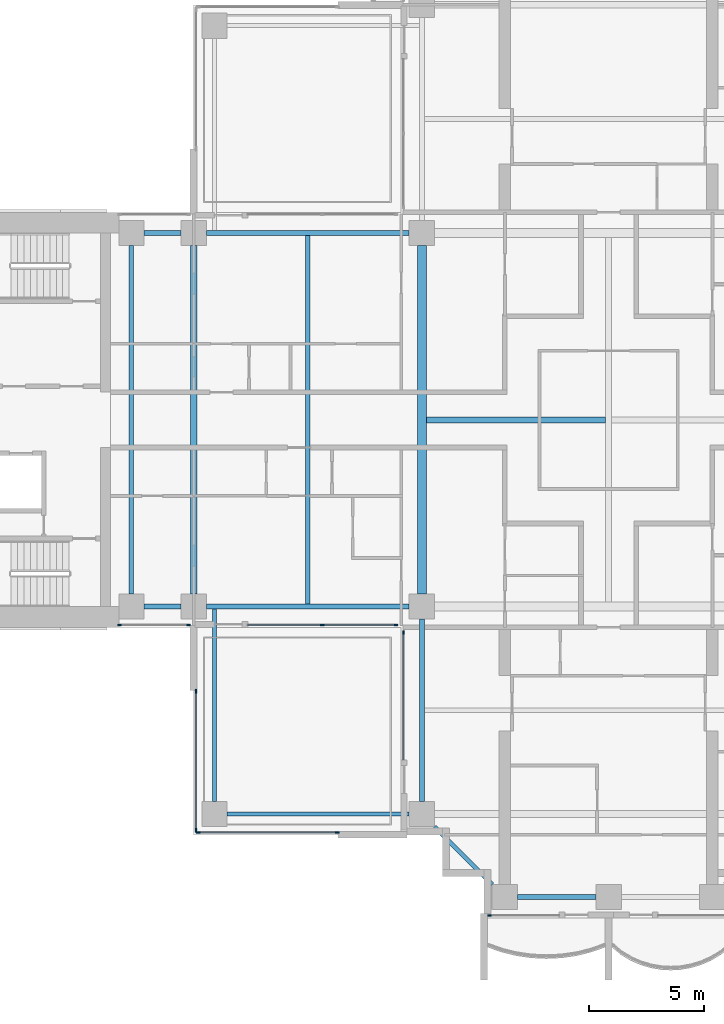
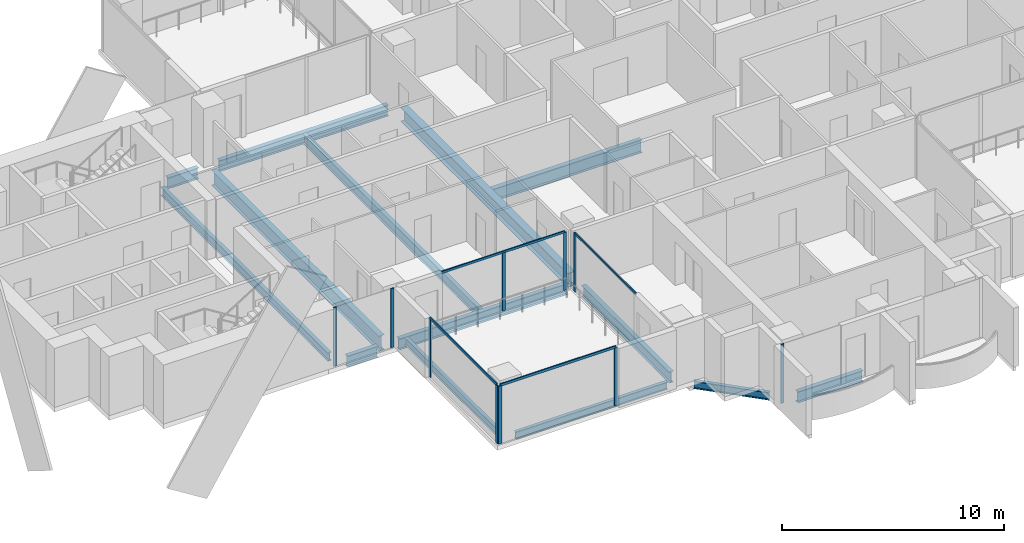
# One storey, part 2 of 19: 14 beams, 14 members, 6 elements without a shape of their own.
"""IFC4 building model written with IfcOpenShell, lengths in metres."""

import ifcopenshell
import ifcopenshell.guid

model = None  # the IFC model being written
_history = None  # IfcOwnerHistory: only IFC2X3 demands one
_inside = {}  # id of a spatial element -> (the spatial element, [elements in it])
_under = {}  # id of a project, library or spatial element -> (it, [spatial elements below it])
_declared = {}  # id of a project -> (the project, [libraries it declares])
_typed = {}  # id of a type object -> (the type object, [elements of that type])
_made_of = {}  # id of a material, layer set ... -> (it, [elements and type objects made of it])


def new_model(schema):
    """Start an empty IFC model of exactly this schema.

    Asked for "IFC4X3", IfcOpenShell would pick the latest addendum, in which some entities
    have other attributes; the version numbers below select the first issue.
    IFC2X3 requires an IfcOwnerHistory on every rooted entity: one is made here for all.
    """
    global model, _history
    if schema == "IFC4X3":
        model = ifcopenshell.file(schema_version=(4, 3, 0, 0))
    else:
        model = ifcopenshell.file(schema=schema)
    _inside.clear()
    _under.clear()
    _declared.clear()
    _typed.clear()
    _made_of.clear()
    _history = None
    if model.schema == "IFC2X3":
        org = make("IfcOrganization", Name="unknown")
        user = make(
            "IfcPersonAndOrganization",
            ThePerson=make("IfcPerson", FamilyName="unknown"),
            TheOrganization=org,
        )
        app = make(
            "IfcApplication",
            ApplicationDeveloper=org,
            Version="unknown",
            ApplicationFullName="unknown",
            ApplicationIdentifier="unknown",
        )
        _history = make(
            "IfcOwnerHistory",
            OwningUser=user,
            OwningApplication=app,
            ChangeAction="ADDED",
            CreationDate=0,
        )
    return model


def make(cls, **values):
    """One entity of the class cls with the attributes given. An attribute that is None is left unset."""
    return model.create_entity(
        cls, **{name: value for name, value in values.items() if value is not None}
    )


def rooted(cls, **values):
    """An entity with a GlobalId (a new one), such as an element, a storey or a relation."""
    return make(cls, GlobalId=ifcopenshell.guid.new(), OwnerHistory=_history, **values)


def si_unit(unit_type, name, prefix=None):
    """IfcSIUnit, for example si_unit("LENGTHUNIT", "METRE", prefix="MILLI")."""
    return make("IfcSIUnit", UnitType=unit_type, Prefix=prefix, Name=name)


def assignment(units):
    """IfcUnitAssignment: the units of a project."""
    return None if units is None else make("IfcUnitAssignment", Units=units)


def point(xyz):
    """IfcCartesianPoint."""
    return None if xyz is None else make("IfcCartesianPoint", Coordinates=xyz)


def direction(xyz):
    """IfcDirection."""
    return None if xyz is None else make("IfcDirection", DirectionRatios=xyz)


def frame(location, z_axis=None, x_axis=None):
    """IfcAxis2Placement3D, a coordinate frame: its origin and axes. An axis left out is left unset."""
    return make(
        "IfcAxis2Placement3D",
        Location=point(location),
        Axis=direction(z_axis),
        RefDirection=direction(x_axis),
    )


def frame_2d(location, x_axis=None):
    """IfcAxis2Placement2D, a coordinate frame in the plane: its origin and x axis."""
    return make(
        "IfcAxis2Placement2D", Location=point(location), RefDirection=direction(x_axis)
    )


def origin():
    """The frame at (0, 0, 0) with its axes left unset."""
    return frame((0.0, 0.0, 0.0))


def origin_2d():
    """The frame at (0, 0) in the plane with its x axis left unset."""
    return frame_2d((0.0, 0.0))


def place(relative_to, where):
    """IfcLocalPlacement: puts the frame where relative to a parent placement (None: the world)."""
    return make(
        "IfcLocalPlacement", PlacementRelTo=relative_to, RelativePlacement=where
    )


def context(
    kind, dimensions, precision=None, world=None, true_north=None, identifier=None
):
    """IfcGeometricRepresentationContext, for example the 3D "Model" context."""
    return make(
        "IfcGeometricRepresentationContext",
        ContextIdentifier=identifier,
        ContextType=kind,
        CoordinateSpaceDimension=dimensions,
        Precision=precision,
        WorldCoordinateSystem=world,
        TrueNorth=true_north,
    )


def subcontext(parent, identifier, kind, view, scale=None):
    """IfcGeometricRepresentationSubContext, for example "Body" below "Model"."""
    return make(
        "IfcGeometricRepresentationSubContext",
        ContextIdentifier=identifier,
        ContextType=kind,
        ParentContext=parent,
        TargetScale=scale,
        TargetView=view,
    )


def project(units=None, contexts=None):
    """IfcProject with its units and contexts."""
    return rooted(
        "IfcProject",
        Name="project",
        RepresentationContexts=contexts,
        UnitsInContext=assignment(units),
    )


def spatial(cls, under=None, at=None, **own):
    """A site, building, storey or space (cls), placed at a placement, below another one or the project."""
    s = rooted(cls, ObjectPlacement=at, **own)
    if under is not None:
        _under.setdefault(under.id(), (under, []))[1].append(s)
    return s


def profile(cls, at=None, kind="AREA", **sizes):
    """A parametric profile (cls). Its sizes go by their IFC names, for example OverallWidth=200.0."""
    return make(cls, ProfileType=kind, Position=at, **sizes)


def rectangle(**sizes):
    """IfcRectangleProfileDef."""
    return profile("IfcRectangleProfileDef", **sizes)


def i_section(**sizes):
    """IfcIShapeProfileDef."""
    return profile("IfcIShapeProfileDef", **sizes)


def extrude(swept, where, along, depth):
    """IfcExtrudedAreaSolid: the profile swept, set in the frame where, extruded along a direction by depth."""
    return make(
        "IfcExtrudedAreaSolid",
        SweptArea=swept,
        Position=where,
        ExtrudedDirection=direction(along),
        Depth=depth,
    )


def shape(context_of_items, identifier, shape_type, items):
    """IfcShapeRepresentation: the items that make up one representation, for example the "Body"."""
    return make(
        "IfcShapeRepresentation",
        ContextOfItems=context_of_items,
        RepresentationIdentifier=identifier,
        RepresentationType=shape_type,
        Items=items,
    )


def material(Name=None, Category=None):
    """IfcMaterial."""
    return make("IfcMaterial", Name=Name, Category=Category)


def material_profile(
    of_material, cross_section, Name=None, Category=None, Priority=None
):
    """IfcMaterialProfile: a cross section and its material."""
    return make(
        "IfcMaterialProfile",
        Name=Name,
        Material=of_material,
        Profile=cross_section,
        Priority=Priority,
        Category=Category,
    )


def profile_set(profiles, Name=None, composite=None):
    """IfcMaterialProfileSet."""
    return make(
        "IfcMaterialProfileSet",
        Name=Name,
        MaterialProfiles=profiles,
        CompositeProfile=composite,
    )


def made_of(thing, what):
    """Note that an element or type object is made of a material, layer set ...; save() writes the relation."""
    if what is not None:
        _made_of.setdefault(what.id(), (what, []))[1].append(thing)
    return thing


def type_object(cls, material=None, **own):
    """A type object (cls), such as IfcWallType, which elements share."""
    return made_of(rooted(cls, **own), material)


def element(
    cls,
    number,
    at=None,
    inside=None,
    cuts=None,
    type_object=None,
    material=None,
    context=None,
    identifier="Body",
    shape_type=None,
    held_by="IfcProductDefinitionShape",
    body=None,
    shapes=None,
    **own,
):
    """One element of the class cls, such as IfcWall. Its Tag is "e" and its number.

    at: its placement. inside: the storey or other place that contains it. cuts: it is an
    opening in that element (IfcRelVoidsElement). A single representation is given by context,
    identifier, shape_type and body (its items); several are given by shapes. held_by: the class
    of the entity that holds the representations. save() writes the other relations.
    """
    e = rooted(cls, Tag="e%d" % number, ObjectPlacement=at, **own)
    if body is not None:
        shapes = [shape(context, identifier, shape_type, body)]
    if shapes is not None:
        e.Representation = make(held_by, Representations=shapes)
    if inside is not None:
        _inside.setdefault(inside.id(), (inside, []))[1].append(e)
    if cuts is not None:
        rooted(
            "IfcRelVoidsElement", RelatingBuildingElement=cuts, RelatedOpeningElement=e
        )
    if type_object is not None:
        _typed.setdefault(type_object.id(), (type_object, []))[1].append(e)
    return made_of(e, material)


def aggregate(whole, parts):
    """IfcRelAggregates: a whole, such as a stair, and the parts it consists of."""
    return rooted("IfcRelAggregates", RelatingObject=whole, RelatedObjects=parts)


def save(model, path):
    """Write the relations noted so far, then the file.

    IfcRelAggregates (storeys below a building ...), IfcRelContainedInSpatialStructure (elements
    in a storey), IfcRelDefinesByType, IfcRelAssociatesMaterial and IfcRelDeclares: one each for
    every whole, place, type object, material and project.
    """
    for whole, parts in _under.values():
        aggregate(whole, parts)
    for where, things in _inside.values():
        rooted(
            "IfcRelContainedInSpatialStructure",
            RelatedElements=things,
            RelatingStructure=where,
        )
    for kind, things in _typed.values():
        rooted("IfcRelDefinesByType", RelatedObjects=things, RelatingType=kind)
    for what, things in _made_of.values():
        rooted("IfcRelAssociatesMaterial", RelatedObjects=things, RelatingMaterial=what)
    for by, libraries in _declared.values():
        rooted("IfcRelDeclares", RelatingContext=by, RelatedDefinitions=libraries)
    model.write(path)


model = new_model("IFC4")

# Units and contexts
model_context = context("Model", 3, precision=1e-05, world=origin(), true_north=direction((0.0, 1.0)))
body_context = subcontext(model_context, "Body", "Model", "MODEL_VIEW")
ifc_project = project(units=[si_unit("LENGTHUNIT", "METRE"), si_unit("AREAUNIT", "SQUARE_METRE"), si_unit("VOLUMEUNIT", "CUBIC_METRE"), si_unit("PLANEANGLEUNIT", "RADIAN"), si_unit("MASSUNIT", "GRAM", prefix="KILO")], contexts=[model_context])

# Site, building, storey
site_placement = place(None, origin())
site = spatial("IfcSite", under=ifc_project, at=site_placement, CompositionType="ELEMENT")
building_placement = place(site_placement, origin())
building = spatial("IfcBuilding", under=site, at=building_placement, Name="Perihelion Cross Residences", CompositionType="ELEMENT")
storey_placement = place(building_placement, frame((0.0, 0.0, 116.39990234375)))
storey = spatial("IfcBuildingStorey", under=building, at=storey_placement, Name="L27", CompositionType="ELEMENT", Elevation=116.39990234375)

# Curtain wall, members
ifc_material_1 = material(Name="Bronze anodised aluminium, tinted glazing", Category="aluminium")
curtain_wall_type_1 = type_object("IfcCurtainWallType", Name="CW1", PredefinedType="NOTDEFINED", material=ifc_material_1)
curtain_wall_1_placement = place(storey_placement, origin())
curtain_wall_1 = element("IfcCurtainWall", 1, at=curtain_wall_1_placement, inside=storey, type_object=curtain_wall_type_1, Name="Curtain wall CW1 L27 west side south bay 1", PredefinedType="NOTDEFINED")
ifc_material_2 = material(Name="Bronze anodised aluminium", Category="aluminium")
ifc_material_profile_1 = material_profile(ifc_material_2, rectangle(XDim=0.06005859375, YDim=0.159912109375, at=origin_2d()), Name="CW1 mullion")
ifc_profile_set_1 = profile_set([ifc_material_profile_1], Name="Bronze anodised aluminium")
member_type_1 = type_object("IfcMemberType", Name="CW1 mullion", PredefinedType="MULLION", material=ifc_profile_set_1)
member_1_placement = place(storey_placement, frame((-21.219970703125, -8.89990234375, 0.0), z_axis=(0.0, 0.0, 1.0), x_axis=(0.0, 1.0, 0.0)))
member_1 = element("IfcMember", 2, at=member_1_placement, type_object=member_type_1, Name="CW1 mullion 1", PredefinedType="MULLION", context=body_context, shape_type="SweptSolid", body=[
    extrude(rectangle(XDim=0.06005859375, YDim=0.159912109375, at=origin_2d()), origin(), (0.0, 0.0, 1.0), 3.25),
])
member_2_placement = place(storey_placement, frame((-18.22998046875, -8.89990234375, 0.0), z_axis=(0.0, 0.0, 1.0), x_axis=(0.0, 1.0, 0.0)))
member_2 = element("IfcMember", 3, at=member_2_placement, type_object=member_type_1, Name="CW1 mullion 2", PredefinedType="MULLION", context=body_context, shape_type="SweptSolid", body=[
    extrude(rectangle(XDim=0.06005859375, YDim=0.159912109375, at=origin_2d()), origin(), (0.0, 0.0, 1.0), 3.25),
])
aggregate(curtain_wall_1, [member_1, member_2])

curtain_wall_2_placement = place(storey_placement, origin())
curtain_wall_2 = element("IfcCurtainWall", 4, at=curtain_wall_2_placement, inside=storey, type_object=curtain_wall_type_1, Name="Curtain wall CW1 L27 west side south bay 2", PredefinedType="NOTDEFINED")
member_3_placement = place(storey_placement, frame((-12.425048828125, -8.89990234375, 0.0), z_axis=(0.0, 0.0, 1.0), x_axis=(0.0, 1.0, 0.0)))
member_3 = element("IfcMember", 5, at=member_3_placement, type_object=member_type_1, Name="CW1 mullion 2", PredefinedType="MULLION", context=body_context, shape_type="SweptSolid", body=[
    extrude(rectangle(XDim=0.06005859375, YDim=0.159912109375, at=origin_2d()), origin(), (0.0, 0.0, 1.0), 3.190185546875),
])
member_4_placement = place(storey_placement, frame((-9.22998046875, -8.89990234375, 0.0), z_axis=(0.0, 0.0, 1.0), x_axis=(0.0, 1.0, 0.0)))
member_4 = element("IfcMember", 6, at=member_4_placement, type_object=member_type_1, Name="CW1 mullion 3", PredefinedType="MULLION", context=body_context, shape_type="SweptSolid", body=[
    extrude(rectangle(XDim=0.06005859375, YDim=0.159912109375, at=origin_2d()), origin(), (0.0, 0.0, 1.0), 3.190185546875),
])

# Curtain wall, member
curtain_wall_3_placement = place(storey_placement, origin())
curtain_wall_3 = element("IfcCurtainWall", 7, at=curtain_wall_3_placement, inside=storey, type_object=curtain_wall_type_1, Name="Curtain wall CW1 L27 south side west bay 1", PredefinedType="NOTDEFINED")
member_5_placement = place(storey_placement, frame((-8.89990234375, -9.22998046875, 0.0), z_axis=(0.0, 0.0, 1.0), x_axis=(1.0, 0.0, 0.0)))
member_5 = element("IfcMember", 8, at=member_5_placement, type_object=member_type_1, Name="CW1 mullion 1", PredefinedType="MULLION", context=body_context, shape_type="SweptSolid", body=[
    extrude(rectangle(XDim=0.06005859375, YDim=0.159912109375, at=origin_2d()), origin(), (0.0, 0.0, 1.0), 3.190185546875),
])

curtain_wall_4_placement = place(storey_placement, origin())
curtain_wall_4 = element("IfcCurtainWall", 9, at=curtain_wall_4_placement, inside=storey, type_object=curtain_wall_type_1, Name="Curtain wall CW1 L27 south tip south bay 1", PredefinedType="NOTDEFINED")
member_6_placement = place(storey_placement, frame((-5.169921875, -21.5, 0.0), z_axis=(0.0, 0.0, 1.0), x_axis=(0.0, 1.0, 0.0)))
member_6 = element("IfcMember", 10, at=member_6_placement, type_object=member_type_1, Name="CW1 mullion 1", PredefinedType="MULLION", context=body_context, shape_type="SweptSolid", body=[
    extrude(rectangle(XDim=0.06005859375, YDim=0.159912109375, at=origin_2d()), origin(), (0.0, 0.0, 1.0), 3.25),
])
aggregate(curtain_wall_4, [member_6])

# Member
ifc_material_3 = material(Name="Bronze anodised aluminium", Category="aluminium")
ifc_material_profile_2 = material_profile(ifc_material_3, rectangle(XDim=0.06005859375, YDim=0.1201171875, at=origin_2d()), Name="CW1 transom")
ifc_profile_set_2 = profile_set([ifc_material_profile_2], Name="Bronze anodised aluminium")
member_type_2 = type_object("IfcMemberType", Name="CW1 transom", PredefinedType="USERDEFINED", material=ifc_profile_set_2)
member_7_placement = place(storey_placement, frame((-15.64990234375, -8.89990234375, 3.22021484375), z_axis=(1.0, 0.0, 0.0), x_axis=(0.0, 1.0, 0.0)))
member_7 = element("IfcMember", 11, at=member_7_placement, type_object=member_type_2, Name="CW1 head transom", ObjectType="TRANSOM", PredefinedType="USERDEFINED", context=body_context, shape_type="SweptSolid", body=[
    extrude(rectangle(XDim=0.06005859375, YDim=0.1201171875, at=origin_2d()), origin(), (0.0, 0.0, 1.0), 6.419921875),
])

aggregate(curtain_wall_2, [member_3, member_4, member_7])

member_8_placement = place(storey_placement, frame((-8.89990234375, -9.22998046875, 3.22021484375), z_axis=(0.0, -1.0, 0.0), x_axis=(1.0, 0.0, 0.0)))
member_8 = element("IfcMember", 12, at=member_8_placement, type_object=member_type_2, Name="CW1 head transom", ObjectType="TRANSOM", PredefinedType="USERDEFINED", context=body_context, shape_type="SweptSolid", body=[
    extrude(rectangle(XDim=0.06005859375, YDim=0.1201171875, at=origin_2d()), origin(), (0.0, 0.0, 1.0), 5.52001953125),
])

aggregate(curtain_wall_3, [member_5, member_8])

# Curtain wall, members
ifc_material_4 = material(Name="Bronze anodised aluminium, tinted glazing", Category="aluminium")
curtain_wall_type_2 = type_object("IfcCurtainWallType", Name="CW4", PredefinedType="NOTDEFINED", material=ifc_material_4)
curtain_wall_5_placement = place(storey_placement, origin())
curtain_wall_5 = element("IfcCurtainWall", 13, at=curtain_wall_5_placement, inside=storey, type_object=curtain_wall_type_2, Name="Curtain wall CW4 L27 pocket south-west 1 1", PredefinedType="NOTDEFINED")
ifc_material_5 = material(Name="Bronze anodised aluminium", Category="aluminium")
ifc_material_profile_3 = material_profile(ifc_material_5, rectangle(XDim=0.06005859375, YDim=0.179931640625, at=origin_2d()), Name="CW4 mullion")
ifc_profile_set_3 = profile_set([ifc_material_profile_3], Name="Bronze anodised aluminium")
member_type_3 = type_object("IfcMemberType", Name="CW4 mullion", PredefinedType="MULLION", material=ifc_profile_set_3)
member_9_placement = place(storey_placement, frame((-11.77001953125, -17.89990234375, 0.0), z_axis=(0.0, 0.0, 1.0), x_axis=(0.0, -1.0, 0.0)))
member_9 = element("IfcMember", 14, at=member_9_placement, type_object=member_type_3, Name="CW4 mullion 1", PredefinedType="MULLION", context=body_context, shape_type="SweptSolid", body=[
    extrude(rectangle(XDim=0.06005859375, YDim=0.179931640625, at=origin_2d()), origin(), (0.0, 0.0, 1.0), 3.190185546875),
])
member_10_placement = place(storey_placement, frame((-17.800048828125, -17.89990234375, 0.0), z_axis=(0.0, 0.0, 1.0), x_axis=(0.0, -1.0, 0.0)))
member_10 = element("IfcMember", 15, at=member_10_placement, type_object=member_type_3, Name="CW4 mullion 2", PredefinedType="MULLION", context=body_context, shape_type="SweptSolid", body=[
    extrude(rectangle(XDim=0.06005859375, YDim=0.179931640625, at=origin_2d()), origin(), (0.0, 0.0, 1.0), 3.190185546875),
])

curtain_wall_6_placement = place(storey_placement, origin())
curtain_wall_6 = element("IfcCurtainWall", 16, at=curtain_wall_6_placement, inside=storey, type_object=curtain_wall_type_2, Name="Curtain wall CW4 L27 pocket south-west 1 2", PredefinedType="NOTDEFINED")
member_11_placement = place(storey_placement, frame((-17.89990234375, -17.800048828125, 0.0), z_axis=(0.0, 0.0, 1.0), x_axis=(-1.0, 0.0, 0.0)))
member_11 = element("IfcMember", 17, at=member_11_placement, type_object=member_type_3, Name="CW4 mullion 1", PredefinedType="MULLION", context=body_context, shape_type="SweptSolid", body=[
    extrude(rectangle(XDim=0.06005859375, YDim=0.179931640625, at=origin_2d()), origin(), (0.0, 0.0, 1.0), 3.190185546875),
])
member_12_placement = place(storey_placement, frame((-17.89990234375, -11.77001953125, 0.0), z_axis=(0.0, 0.0, 1.0), x_axis=(-1.0, 0.0, 0.0)))
member_12 = element("IfcMember", 18, at=member_12_placement, type_object=member_type_3, Name="CW4 mullion 2", PredefinedType="MULLION", context=body_context, shape_type="SweptSolid", body=[
    extrude(rectangle(XDim=0.06005859375, YDim=0.179931640625, at=origin_2d()), origin(), (0.0, 0.0, 1.0), 3.190185546875),
])

# Member
ifc_material_6 = material(Name="Bronze anodised aluminium", Category="aluminium")
ifc_material_profile_4 = material_profile(ifc_material_6, rectangle(XDim=0.06005859375, YDim=0.139892578125, at=origin_2d()), Name="CW4 transom")
ifc_profile_set_4 = profile_set([ifc_material_profile_4], Name="Bronze anodised aluminium")
member_type_4 = type_object("IfcMemberType", Name="CW4 transom", PredefinedType="USERDEFINED", material=ifc_profile_set_4)
member_13_placement = place(storey_placement, frame((-11.77001953125, -17.89990234375, 3.22021484375), z_axis=(-1.0, 0.0, 0.0), x_axis=(0.0, -1.0, 0.0)))
member_13 = element("IfcMember", 19, at=member_13_placement, type_object=member_type_4, Name="CW4 head transom", ObjectType="TRANSOM", PredefinedType="USERDEFINED", context=body_context, shape_type="SweptSolid", body=[
    extrude(rectangle(XDim=0.06005859375, YDim=0.139892578125, at=origin_2d()), origin(), (0.0, 0.0, 1.0), 6.030029296875),
])

aggregate(curtain_wall_5, [member_9, member_10, member_13])

member_14_placement = place(storey_placement, frame((-17.89990234375, -17.800048828125, 3.22021484375), z_axis=(0.0, 1.0, 0.0), x_axis=(-1.0, 0.0, 0.0)))
member_14 = element("IfcMember", 20, at=member_14_placement, type_object=member_type_4, Name="CW4 head transom", ObjectType="TRANSOM", PredefinedType="USERDEFINED", context=body_context, shape_type="SweptSolid", body=[
    extrude(rectangle(XDim=0.06005859375, YDim=0.139892578125, at=origin_2d()), origin(), (0.0, 0.0, 1.0), 6.030029296875),
])

aggregate(curtain_wall_6, [member_11, member_12, member_14])

# Beams
ifc_material_7 = material(Name="Steel S355", Category="steel")
ifc_material_profile_5 = material_profile(ifc_material_7, i_section(OverallWidth=0.177978515625, OverallDepth=0.406005859375, WebThickness=0.0078125, FlangeThickness=0.0126953125, at=origin_2d()), Name="W410x60")
ifc_profile_set_5 = profile_set([ifc_material_profile_5], Name="Steel S355")
beam_type_1 = type_object("IfcBeamType", Name="Core edge beam W410x60", PredefinedType="BEAM", material=ifc_profile_set_5)
beam_1_placement = place(storey_placement, frame((-17.10009765625, -8.214599609375, -0.452880859375), z_axis=(0.0, -1.0, 0.0), x_axis=(1.0, 0.0, 0.0)))
element("IfcBeam", 21, at=beam_1_placement, inside=storey, type_object=beam_type_1, Name="Core edge beam TB2 L27 corner no. 1", PredefinedType="BEAM", context=body_context, shape_type="SweptSolid", body=[
    extrude(i_section(OverallWidth=0.177978515625, OverallDepth=0.406005859375, WebThickness=0.0078125, FlangeThickness=0.0126953125, at=origin_2d()), origin(), (0.0, 0.0, 1.0), 8.33544921875),
])
beam_2_placement = place(storey_placement, frame((-8.64990234375, -17.10009765625, -0.452880859375), z_axis=(-1.0, 0.0, 0.0), x_axis=(0.0, -1.0, 0.0)))
element("IfcBeam", 22, at=beam_2_placement, inside=storey, type_object=beam_type_1, Name="Core edge beam TB2 L27 corner no. 2", PredefinedType="BEAM", context=body_context, shape_type="SweptSolid", body=[
    extrude(i_section(OverallWidth=0.177978515625, OverallDepth=0.406005859375, WebThickness=0.0078125, FlangeThickness=0.0126953125, at=origin_2d()), origin(), (0.0, 0.0, 1.0), 7.900146484375),
])
ifc_material_8 = material(Name="Steel S355", Category="steel")
ifc_material_profile_6 = material_profile(ifc_material_8, i_section(OverallWidth=0.194091796875, OverallDepth=0.469970703125, WebThickness=0.0126953125, FlangeThickness=0.0205078125, at=origin_2d()), Name="W460x106")
ifc_profile_set_6 = profile_set([ifc_material_profile_6], Name="Steel S355")
beam_type_2 = type_object("IfcBeamType", Name="Core edge beam W460x106", PredefinedType="BEAM", material=ifc_profile_set_6)
beam_3_placement = place(storey_placement, frame((-20.699951171875, -7.550048828125, -0.48486328125), z_axis=(0.0, 1.0, 0.0), x_axis=(-1.0, 0.0, 0.0)))
element("IfcBeam", 23, at=beam_3_placement, inside=storey, type_object=beam_type_2, Name="Core edge beam TB5 L27 no. 1", PredefinedType="BEAM", context=body_context, shape_type="SweptSolid", body=[
    extrude(i_section(OverallWidth=0.194091796875, OverallDepth=0.469970703125, WebThickness=0.0126953125, FlangeThickness=0.0205078125, at=origin_2d()), origin(), (0.0, 0.0, 1.0), 15.10009765625),
])
ifc_material_9 = material(Name="Steel S355", Category="steel")
ifc_material_profile_7 = material_profile(ifc_material_9, i_section(OverallWidth=0.22900390625, OverallDepth=0.612060546875, WebThickness=0.011962890625, FlangeThickness=0.01953125, at=origin_2d()), Name="W610x125")
ifc_profile_set_7 = profile_set([ifc_material_profile_7], Name="Steel S355")
beam_type_3 = type_object("IfcBeamType", Name="Edge beam W610x125", PredefinedType="SPANDREL", material=ifc_profile_set_7)
beam_4_placement = place(storey_placement, frame((-8.64990234375, 8.10009765625, -0.555908203125), z_axis=(-1.0, 0.0, 0.0), x_axis=(0.0, -1.0, 0.0)))
element("IfcBeam", 24, at=beam_4_placement, inside=storey, type_object=beam_type_3, Name="Edge beam SB3 L27 no. 8", PredefinedType="SPANDREL", context=body_context, shape_type="SweptSolid", body=[
    extrude(i_section(OverallWidth=0.22900390625, OverallDepth=0.612060546875, WebThickness=0.011962890625, FlangeThickness=0.01953125, at=origin_2d()), origin(), (0.0, 0.0, 1.0), 8.800048828125),
])
for number, where, z_axis, x_axis, name in (
    (25, (-18.550048828125, 8.10009765625, -0.555908203125), (-1.0, 0.0, 0.0), (0.0, -1.0, 0.0), "Edge beam SB3 L27 no. 2"),
    (26, (-20.14990234375, -8.10009765625, -0.555908203125), (1.0, 0.0, 0.0), (0.0, 1.0, 0.0), "Edge beam SB3 L27 no. 3"),
):
    element("IfcBeam", number, at=place(storey_placement, frame(where, z_axis=z_axis, x_axis=x_axis)), inside=storey, type_object=beam_type_3, Name=name, PredefinedType="SPANDREL", context=body_context, shape_type="SweptSolid", body=[
        extrude(i_section(OverallWidth=0.22900390625, OverallDepth=0.612060546875, WebThickness=0.011962890625, FlangeThickness=0.01953125, at=origin_2d()), origin(), (0.0, 0.0, 1.0), 1.599853515625),
    ])
beam_5_placement = place(storey_placement, frame((-17.449951171875, -8.10009765625, -0.555908203125), z_axis=(1.0, 0.0, 0.0), x_axis=(0.0, 1.0, 0.0)))
element("IfcBeam", 27, at=beam_5_placement, inside=storey, type_object=beam_type_3, Name="Edge beam SB3 L27 no. 1", PredefinedType="SPANDREL", context=body_context, shape_type="SweptSolid", body=[
    extrude(i_section(OverallWidth=0.22900390625, OverallDepth=0.612060546875, WebThickness=0.011962890625, FlangeThickness=0.01953125, at=origin_2d()), origin(), (0.0, 0.0, 1.0), 8.800048828125),
])
beam_6_placement = place(storey_placement, frame((-8.10009765625, -8.64990234375, -0.555908203125), z_axis=(0.0, -1.0, 0.0), x_axis=(1.0, 0.0, 0.0)))
element("IfcBeam", 28, at=beam_6_placement, inside=storey, type_object=beam_type_3, Name="Edge beam SB3 L27 no. 5", PredefinedType="SPANDREL", context=body_context, shape_type="SweptSolid", body=[
    extrude(i_section(OverallWidth=0.22900390625, OverallDepth=0.612060546875, WebThickness=0.011962890625, FlangeThickness=0.01953125, at=origin_2d()), origin(), (0.0, 0.0, 1.0), 7.900146484375),
])
beam_7_placement = place(storey_placement, frame((-3.949951171875, -20.699951171875, -0.555908203125), z_axis=(1.0, 0.0, 0.0), x_axis=(0.0, 1.0, 0.0)))
element("IfcBeam", 29, at=beam_7_placement, inside=storey, type_object=beam_type_3, Name="Edge beam SB3 L27 no. 4", PredefinedType="SPANDREL", context=body_context, shape_type="SweptSolid", body=[
    extrude(i_section(OverallWidth=0.22900390625, OverallDepth=0.612060546875, WebThickness=0.011962890625, FlangeThickness=0.01953125, at=origin_2d()), origin(), (0.0, 0.0, 1.0), 3.39990234375),
])
ifc_material_10 = material(Name="Steel S355", Category="steel")
ifc_material_profile_8 = material_profile(ifc_material_10, i_section(OverallWidth=0.2919921875, OverallDepth=0.8359375, WebThickness=0.013916015625, FlangeThickness=0.018798828125, at=origin_2d()), Name="W840x176")
ifc_profile_set_8 = profile_set([ifc_material_profile_8], Name="Steel S355")
beam_type_4 = type_object("IfcBeamType", Name="Floor girder W840x176", PredefinedType="BEAM", material=ifc_profile_set_8)
beam_8_placement = place(storey_placement, frame((-18.0, -7.550048828125, -0.66796875), z_axis=(0.0, 1.0, 0.0), x_axis=(-1.0, 0.0, 0.0)))
element("IfcBeam", 30, at=beam_8_placement, inside=storey, type_object=beam_type_4, Name="Girder G3 L27 no. 1", PredefinedType="BEAM", context=body_context, shape_type="SweptSolid", body=[
    extrude(i_section(OverallWidth=0.2919921875, OverallDepth=0.8359375, WebThickness=0.013916015625, FlangeThickness=0.018798828125, at=origin_2d()), origin(), (0.0, 0.0, 1.0), 15.10009765625),
])
ifc_material_11 = material(Name="Steel S355", Category="steel")
ifc_material_profile_9 = material_profile(ifc_material_11, i_section(OverallWidth=0.208984375, OverallDepth=0.532958984375, WebThickness=0.01025390625, FlangeThickness=0.015625, at=origin_2d()), Name="W530x92")
ifc_profile_set_9 = profile_set([ifc_material_profile_9], Name="Steel S355")
beam_type_5 = type_object("IfcBeamType", Name="Floor joist W530x92", PredefinedType="JOIST", material=ifc_profile_set_9)
beam_9_placement = place(storey_placement, frame((-13.050048828125, -7.985595703125, -0.516357421875), z_axis=(0.0, 1.0, 0.0), x_axis=(-1.0, 0.0, 0.0)))
element("IfcBeam", 31, at=beam_9_placement, inside=storey, type_object=beam_type_5, Name="Joist J4 L27 no. 1", PredefinedType="JOIST", context=body_context, shape_type="SweptSolid", body=[
    extrude(i_section(OverallWidth=0.208984375, OverallDepth=0.532958984375, WebThickness=0.01025390625, FlangeThickness=0.015625, at=origin_2d()), origin(), (0.0, 0.0, 1.0), 15.97119140625),
])
ifc_material_12 = material(Name="Steel S355", Category="steel")
ifc_material_profile_10 = material_profile(ifc_material_12, i_section(OverallWidth=0.257080078125, OverallDepth=0.693115234375, WebThickness=0.014404296875, FlangeThickness=0.023681640625, at=origin_2d()), Name="W690x170")
ifc_profile_set_10 = profile_set([ifc_material_profile_10], Name="Steel S355")
beam_type_6 = type_object("IfcBeamType", Name="Hub cross beam W690x170", PredefinedType="BEAM", material=ifc_profile_set_10)
beam_10_placement = place(storey_placement, frame((-7.909423828125, 0.0, -0.596435546875), z_axis=(1.0, 0.0, 0.0), x_axis=(0.0, 1.0, 0.0)))
element("IfcBeam", 32, at=beam_10_placement, inside=storey, type_object=beam_type_6, Name="Hub cross beam XB3 L27 1 no. 1", PredefinedType="BEAM", context=body_context, shape_type="SweptSolid", body=[
    extrude(i_section(OverallWidth=0.257080078125, OverallDepth=0.693115234375, WebThickness=0.014404296875, FlangeThickness=0.023681640625, at=origin_2d()), origin(), (0.0, 0.0, 1.0), 7.781005859375),
])
ifc_material_13 = material(Name="Steel S355", Category="steel")
ifc_material_profile_11 = material_profile(ifc_material_13, i_section(OverallWidth=0.381103515625, OverallDepth=0.77197265625, WebThickness=0.0166015625, FlangeThickness=0.027099609375, at=origin_2d()), Name="W760x257")
ifc_profile_set_11 = profile_set([ifc_material_profile_11], Name="Steel S355")
beam_type_7 = type_object("IfcBeamType", Name="Hub ring girder W760x257", PredefinedType="BEAM", material=ifc_profile_set_11)
beam_11_placement = place(storey_placement, frame((-8.10009765625, 7.550048828125, -0.635986328125), z_axis=(0.0, -1.0, 0.0), x_axis=(1.0, 0.0, 0.0)))
element("IfcBeam", 33, at=beam_11_placement, inside=storey, type_object=beam_type_7, Name="Hub ring girder RG3 L27 no. 2", PredefinedType="BEAM", context=body_context, shape_type="SweptSolid", body=[
    extrude(i_section(OverallWidth=0.381103515625, OverallDepth=0.77197265625, WebThickness=0.0166015625, FlangeThickness=0.027099609375, at=origin_2d()), origin(), (0.0, 0.0, 1.0), 15.10009765625),
])
ifc_material_14 = material(Name="Steel S355", Category="steel")
ifc_material_profile_12 = material_profile(ifc_material_14, i_section(OverallWidth=0.180908203125, OverallDepth=0.4169921875, WebThickness=0.010986328125, FlangeThickness=0.018310546875, at=origin_2d()), Name="W410x85")
ifc_profile_set_12 = profile_set([ifc_material_profile_12], Name="Steel S355")
beam_type_8 = type_object("IfcBeamType", Name="Serration edge beam W410x85", PredefinedType="BEAM", material=ifc_profile_set_12)
beam_12_placement = place(storey_placement, frame((-7.550048828125, -17.64990234375, -0.45849609375), z_axis=(0.707106781187, -0.707106781187, 0.0), x_axis=(0.707106781187, 0.707106781187, 0.0)))
element("IfcBeam", 34, at=beam_12_placement, inside=storey, type_object=beam_type_8, Name="Serration edge beam EB3 L27 no. 2", PredefinedType="BEAM", context=body_context, shape_type="SweptSolid", body=[
    extrude(i_section(OverallWidth=0.180908203125, OverallDepth=0.4169921875, WebThickness=0.010986328125, FlangeThickness=0.018310546875, at=origin_2d()), origin(), (0.0, 0.0, 1.0), 3.53564453125),
])

save(model, "model.ifc")
